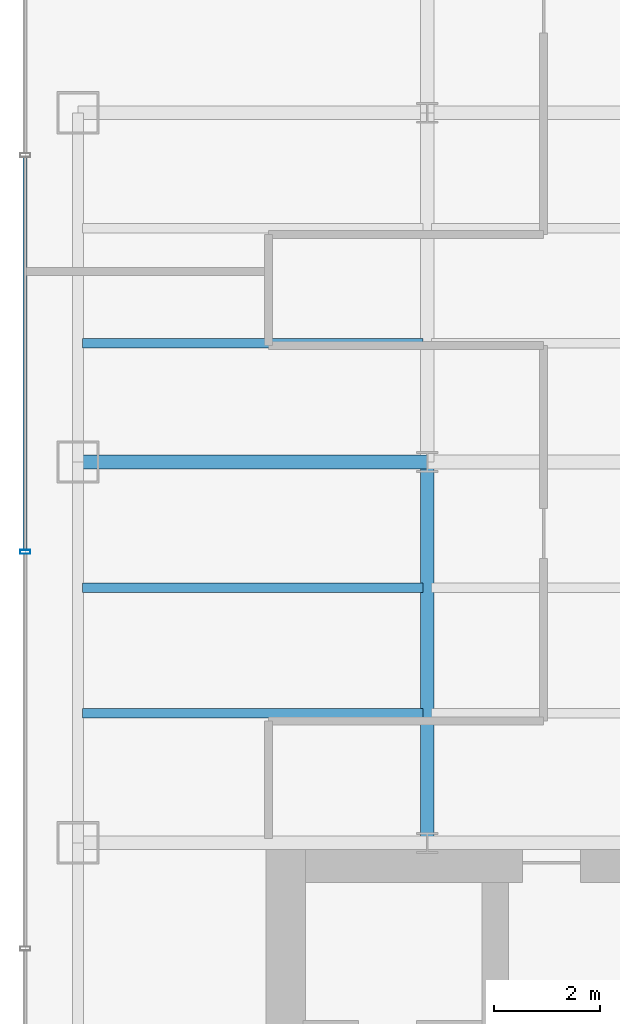
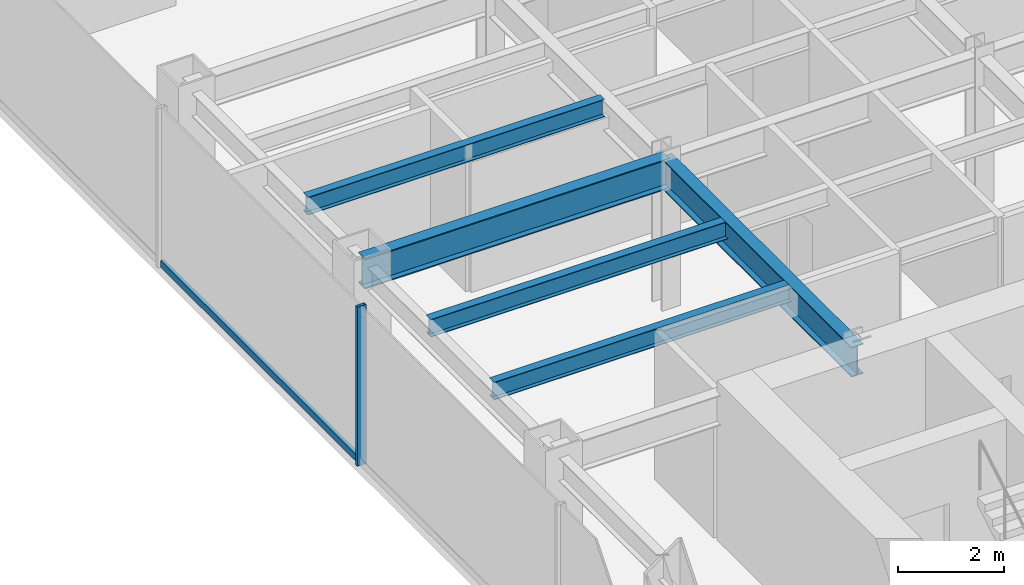
# One storey, part 4 of 25: 5 beams, 2 members, 1 element without a shape of its own.
"""IFC4 building model written with IfcOpenShell, lengths in metres."""

from ifc_helpers import new_model, si_unit, derived_unit, direction, frame, origin, origin_2d, place, context, subcontext, project, spatial, hollow_rectangle, i_section, extrude, source, transform, mapped, material, material_profile, profile_set, type_object, element, aggregate, save


model = new_model("IFC4")

# Units and contexts
model_context = context("Model", 3, precision=1e-05, world=origin(), true_north=direction((0.0, 1.0)))
body_context = subcontext(model_context, "Body", "Model", "MODEL_VIEW")
ifc_project = project(units=[si_unit("LENGTHUNIT", "METRE"), si_unit("AREAUNIT", "SQUARE_METRE"), si_unit("VOLUMEUNIT", "CUBIC_METRE"), si_unit("PLANEANGLEUNIT", "RADIAN"), si_unit("MASSUNIT", "GRAM", prefix="KILO"), derived_unit("THERMALTRANSMITTANCEUNIT", [(si_unit("POWERUNIT", "WATT"), 1), (si_unit("LENGTHUNIT", "METRE"), -2), (si_unit("THERMODYNAMICTEMPERATUREUNIT", "KELVIN"), -1)])], contexts=[model_context])

# Site, building, storey
site_placement = place(None, origin())
site = spatial("IfcSite", under=ifc_project, at=site_placement, CompositionType="ELEMENT")
building_placement = place(site_placement, origin())
building = spatial("IfcBuilding", under=site, at=building_placement, Name="Skarnbrae Concourse Arena and Tower", CompositionType="ELEMENT")
storey_placement = place(building_placement, frame((0.0, 0.0, 88.64990234375)))
storey = spatial("IfcBuildingStorey", under=building, at=storey_placement, Name="L21", CompositionType="ELEMENT", Elevation=88.64990234375)

# Beams
ifc_material_1 = material(Name="Steel CSA G40.21 350W", Category="steel")
ifc_material_profile_1 = material_profile(ifc_material_1, i_section(OverallWidth=0.256103515625, OverallDepth=0.693115234375, WebThickness=0.014404296875, FlangeThickness=0.023681640625, at=origin_2d()), Name="W690X170")
ifc_profile_set_1 = profile_set([ifc_material_profile_1], Name="Steel CSA G40.21 350W")
beam_type_1 = type_object("IfcBeamType", Name="BM-GIRD-W690X170", PredefinedType="BEAM", material=ifc_profile_set_1)
shared_shape_1 = source(origin(), body_context, "Body", "SweptSolid", [
    extrude(i_section(OverallWidth=0.256103515625, OverallDepth=0.693115234375, WebThickness=0.014404296875, FlangeThickness=0.023681640625, at=origin_2d()), origin(), (0.0, 0.0, 1.0), 6.60009765625),
])
beam_1_placement = place(storey_placement, frame((1.0, 21.199951171875, 3.0537109375), z_axis=(1.0, 0.0, 0.0), x_axis=(0.0, 1.0, 0.0)))
element("IfcBeam", 1, at=beam_1_placement, inside=storey, type_object=beam_type_1, Name="L21 Primary E-W girder Y21.2-1", PredefinedType="BEAM", context=body_context, shape_type="MappedRepresentation", body=[
    mapped(shared_shape_1, transform((0.0, 0.0, 0.0))),
])
shared_shape_2 = source(origin(), body_context, "Body", "SweptSolid", [
    extrude(i_section(OverallWidth=0.256103515625, OverallDepth=0.693115234375, WebThickness=0.014404296875, FlangeThickness=0.023681640625, at=origin_2d()), origin(), (0.0, 0.0, 1.0), 7.199951171875),
])
beam_2_placement = place(storey_placement, frame((7.60009765625, 14.0, 3.0537109375), z_axis=(0.0, 1.0, 0.0), x_axis=(-1.0, 0.0, 0.0)))
element("IfcBeam", 2, at=beam_2_placement, inside=storey, type_object=beam_type_1, Name="L21 Primary N-S girder X7.6-1", PredefinedType="BEAM", context=body_context, shape_type="MappedRepresentation", body=[
    mapped(shared_shape_2, transform((0.0, 0.0, 0.0))),
])
ifc_material_profile_2 = material_profile(ifc_material_1, i_section(OverallWidth=0.177978515625, OverallDepth=0.406982421875, WebThickness=0.0078125, FlangeThickness=0.0126953125, at=origin_2d()), Name="W410X60")
ifc_profile_set_2 = profile_set([ifc_material_profile_2], Name="Steel CSA G40.21 350W")
beam_type_2 = type_object("IfcBeamType", Name="BM-JOIST-W410X60", PredefinedType="JOIST", material=ifc_profile_set_2)
shared_shape_3 = source(origin(), body_context, "Body", "SweptSolid", [
    extrude(i_section(OverallWidth=0.177978515625, OverallDepth=0.406982421875, WebThickness=0.0078125, FlangeThickness=0.0126953125, at=origin_2d()), origin(), (0.0, 0.0, 1.0), 6.43994140625),
])
for number, where, z_axis, x_axis, name in (
    (3, (1.080078125, 16.447998046875, 3.196533203125), (1.0, 0.0, 0.0), (0.0, 1.0, 0.0), "L21 Secondary floor joist 1.1.1"),
    (4, (1.080078125, 18.823974609375, 3.196533203125), (1.0, 0.0, 0.0), (0.0, 1.0, 0.0), "L21 Secondary floor joist 1.2.1"),
    (5, (1.080078125, 23.444091796875, 3.196533203125), (1.0, 0.0, 0.0), (0.0, 1.0, 0.0), "L21 Secondary floor joist 2.1.1"),
):
    element("IfcBeam", number, at=place(storey_placement, frame(where, z_axis=z_axis, x_axis=x_axis)), inside=storey, type_object=beam_type_2, Name=name, PredefinedType="JOIST", context=body_context, shape_type="MappedRepresentation", body=[
        mapped(shared_shape_3, transform((0.0, 0.0, 0.0))),
    ])

# Curtain wall, members
ifc_material_2 = material(Name="Bronze anodised aluminium 6063-T6", Category="aluminium")
curtain_wall_type = type_object("IfcCurtainWallType", Name="CW-SYS-04-MIDZONE", PredefinedType="USERDEFINED", material=ifc_material_2)
curtain_wall_placement = place(storey_placement, origin())
curtain_wall = element("IfcCurtainWall", 6, at=curtain_wall_placement, inside=storey, type_object=curtain_wall_type, Name="L21 Unitised curtain wall CW-L21-E19", ObjectType="UNITISED CURTAIN WALL", PredefinedType="USERDEFINED")
ifc_material_profile_3 = material_profile(ifc_material_2, hollow_rectangle(XDim=0.074951171875, YDim=0.195068359375, WallThickness=0.00439453125, at=origin_2d()), Name="ALU-MULL-75X195")
ifc_profile_set_3 = profile_set([ifc_material_profile_3], Name="Bronze anodised aluminium 6063-T6")
member_type_1 = type_object("IfcMemberType", Name="CWM-CW-04", PredefinedType="MULLION", material=ifc_profile_set_3)
shared_shape_4 = source(origin(), body_context, "Body", "SweptSolid", [
    extrude(hollow_rectangle(XDim=0.074951171875, YDim=0.195068359375, WallThickness=0.00439453125, at=origin_2d()), origin(), (0.0, 0.0, 1.0), 3.650146484375),
])
member_1_placement = place(storey_placement, frame((0.0, 19.5, 0.0), z_axis=(0.0, 0.0, 1.0), x_axis=(0.0, -1.0, 0.0)))
member_1 = element("IfcMember", 7, at=member_1_placement, type_object=member_type_1, Name="CW-L21-E19 Mullion 3", PredefinedType="MULLION", context=body_context, shape_type="MappedRepresentation", body=[
    mapped(shared_shape_4, transform((0.0, 0.0, 0.0))),
])
ifc_material_profile_4 = material_profile(ifc_material_2, hollow_rectangle(XDim=0.074951171875, YDim=0.159912109375, WallThickness=0.00439453125, at=origin_2d()), Name="ALU-TRAN-75X160")
ifc_profile_set_4 = profile_set([ifc_material_profile_4], Name="Bronze anodised aluminium 6063-T6")
member_type_2 = type_object("IfcMemberType", Name="CWT-CW-04", PredefinedType="USERDEFINED", material=ifc_profile_set_4)
shared_shape_5 = source(origin(), body_context, "Body", "SweptSolid", [
    extrude(hollow_rectangle(XDim=0.074951171875, YDim=0.159912109375, WallThickness=0.00439453125, at=origin_2d()), origin(), (0.0, 0.0, 1.0), 7.4248046875),
])
member_2_placement = place(storey_placement, frame((0.0, 26.96240234375, 0.080078125), z_axis=(0.0, -1.0, 0.0), x_axis=(1.0, 0.0, 0.0)))
member_2 = element("IfcMember", 8, at=member_2_placement, type_object=member_type_2, Name="CW-L21-E19 Transom 2", ObjectType="TRANSOM", PredefinedType="USERDEFINED", context=body_context, shape_type="MappedRepresentation", body=[
    mapped(shared_shape_5, transform((0.0, 0.0, 0.0))),
])
aggregate(curtain_wall, [member_1, member_2])

save(model, "model.ifc")
